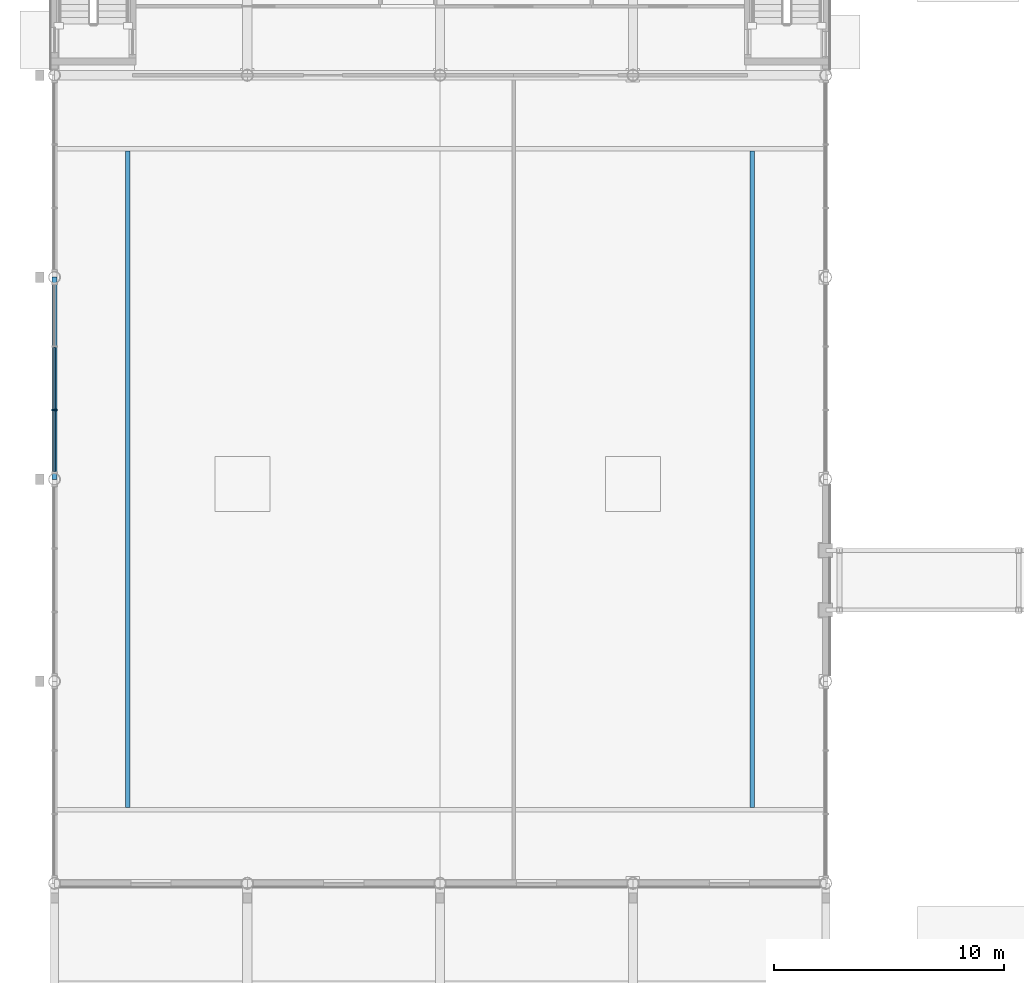
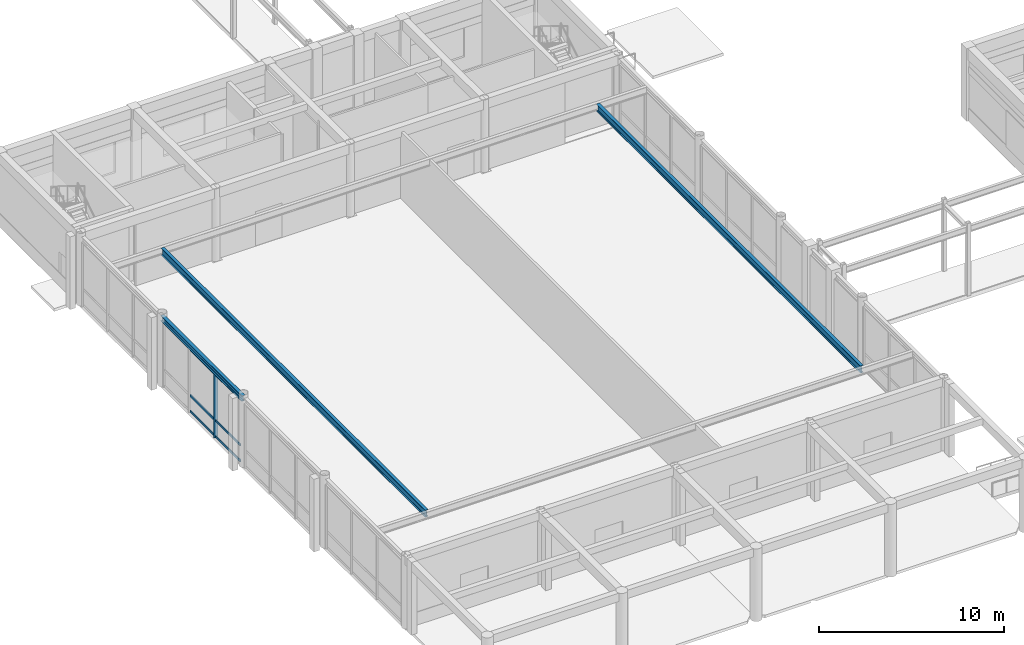
# One storey, part 12 of 58: 7 members, 3 beams, 1 element without a shape of its own.
"""IFC4 building model written with IfcOpenShell, lengths in metres."""

from ifc_helpers import new_model, si_unit, direction, frame, origin, origin_2d, place, context, subcontext, project, spatial, rectangle, i_section, extrude, material, material_profile, profile_set, type_object, element, aggregate, save


model = new_model("IFC4")

# Units and contexts
model_context = context("Model", 3, precision=1e-05, world=origin(), true_north=direction((0.0, 1.0)))
body_context = subcontext(model_context, "Body", "Model", "MODEL_VIEW")
ifc_project = project(units=[si_unit("LENGTHUNIT", "METRE"), si_unit("AREAUNIT", "SQUARE_METRE"), si_unit("VOLUMEUNIT", "CUBIC_METRE"), si_unit("PLANEANGLEUNIT", "RADIAN"), si_unit("MASSUNIT", "GRAM", prefix="KILO")], contexts=[model_context])

# Site, building, storey
site_placement = place(None, origin())
site = spatial("IfcSite", under=ifc_project, at=site_placement, CompositionType="ELEMENT")
building_placement = place(site_placement, origin())
building = spatial("IfcBuilding", under=site, at=building_placement, Name="Kemercrest Conservatory and Botanical Centre", CompositionType="ELEMENT")
storey_placement = place(building_placement, origin())
storey = spatial("IfcBuildingStorey", under=building, at=storey_placement, Name="L00", CompositionType="ELEMENT", Elevation=0.0)

# Beams
ifc_material_1 = material(Name="Steel CSA G40.21 350W", Category="steel")
ifc_material_profile_1 = material_profile(ifc_material_1, i_section(OverallWidth=0.194091796875, OverallDepth=0.468994140625, WebThickness=0.0126953125, FlangeThickness=0.0205078125, FilletRadius=0.01806640625, at=origin_2d()), Name="W460X106")
ifc_profile_set_1 = profile_set([ifc_material_profile_1], Name="Steel CSA G40.21 350W")
beam_type_1 = type_object("IfcBeamType", Name="BM-W460", PredefinedType="BEAM", material=ifc_profile_set_1)
for number, where, z_axis, x_axis, name in (
    (1, (38.39990234375, 20.110107421875, 4.345458984375), (0.0, 1.0, 0.0), (-1.0, 0.0, 0.0), "Conservatory canopy inner edge girder"),
    (2, (11.199951171875, 48.68994140625, 4.345458984375), (0.0, -1.0, 0.0), (1.0, 0.0, 0.0), "Conservatory canopy inner edge girder"),
):
    element("IfcBeam", number, at=place(storey_placement, frame(where, z_axis=z_axis, x_axis=x_axis)), inside=storey, type_object=beam_type_1, Name=name, PredefinedType="BEAM", context=body_context, shape_type="SweptSolid", body=[
        extrude(i_section(OverallWidth=0.194091796875, OverallDepth=0.468994140625, WebThickness=0.0126953125, FlangeThickness=0.0205078125, FilletRadius=0.01806640625, at=origin_2d()), origin(), (0.0, 0.0, 1.0), 28.579833984375),
    ])

# Curtain wall, members
ifc_material_2 = material(Name="Thermally broken aluminium and triple low-e glazing", Category="aluminium")
curtain_wall_type = type_object("IfcCurtainWallType", Name="CW-06", PredefinedType="USERDEFINED", material=ifc_material_2)
curtain_wall_placement = place(storey_placement, origin())
curtain_wall = element("IfcCurtainWall", 3, at=curtain_wall_placement, inside=storey, type_object=curtain_wall_type, Name="Unitised curtain wall CW-06 (CW:L00:V1-005)", ObjectType="UNITISED CURTAIN WALL", PredefinedType="USERDEFINED")
ifc_material_3 = material(Name="Thermally broken anodized aluminium 6063-T6", Category="aluminium")
ifc_material_profile_2 = material_profile(ifc_material_3, rectangle(XDim=0.239990234375, YDim=0.074951171875, at=origin_2d()), Name="AL MULLION 75x240")
ifc_profile_set_2 = profile_set([ifc_material_profile_2], Name="Thermally broken anodized aluminium 6063-T6")
member_type_1 = type_object("IfcMemberType", Name="CW-M225", PredefinedType="MULLION", material=ifc_profile_set_2)
member_1_placement = place(storey_placement, frame((8.0, 37.416259765625, 0.0), z_axis=(0.0, 0.0, 1.0), x_axis=(1.0, 0.0, 0.0)))
member_1 = element("IfcMember", 4, at=member_1_placement, type_object=member_type_1, Name="CW-06 mullion 3", PredefinedType="MULLION", context=body_context, shape_type="SweptSolid", body=[
    extrude(rectangle(XDim=0.239990234375, YDim=0.074951171875, at=origin_2d()), origin(), (0.0, 0.0, 1.0), 4.23095703125),
])
ifc_material_profile_3 = material_profile(ifc_material_3, rectangle(XDim=0.06494140625, YDim=0.14990234375, at=origin_2d()), Name="AL TRANSOM 65x150")
ifc_profile_set_3 = profile_set([ifc_material_profile_3], Name="Thermally broken anodized aluminium 6063-T6")
member_type_2 = type_object("IfcMemberType", Name="CW-T200", PredefinedType="USERDEFINED", material=ifc_profile_set_3)
member_2_placement = place(storey_placement, frame((8.0, 40.146240234375, 0.074951171875), z_axis=(0.0, -1.0, 0.0), x_axis=(1.0, 0.0, 0.0)))
member_2 = element("IfcMember", 5, at=member_2_placement, type_object=member_type_2, Name="CW-06 transom 2.1", ObjectType="TRANSOM", PredefinedType="USERDEFINED", context=body_context, shape_type="SweptSolid", body=[
    extrude(rectangle(XDim=0.06494140625, YDim=0.14990234375, at=origin_2d()), origin(), (0.0, 0.0, 1.0), 2.6923828125),
])
member_3_placement = place(storey_placement, frame((8.0, 40.146240234375, 1.1201171875), z_axis=(0.0, -1.0, 0.0), x_axis=(1.0, 0.0, 0.0)))
member_3 = element("IfcMember", 6, at=member_3_placement, type_object=member_type_2, Name="CW-06 transom 2.2", ObjectType="TRANSOM", PredefinedType="USERDEFINED", context=body_context, shape_type="SweptSolid", body=[
    extrude(rectangle(XDim=0.06494140625, YDim=0.14990234375, at=origin_2d()), origin(), (0.0, 0.0, 1.0), 2.6923828125),
])
member_4_placement = place(storey_placement, frame((8.0, 40.146240234375, 4.156005859375), z_axis=(0.0, -1.0, 0.0), x_axis=(1.0, 0.0, 0.0)))
member_4 = element("IfcMember", 7, at=member_4_placement, type_object=member_type_2, Name="CW-06 transom 2.3", ObjectType="TRANSOM", PredefinedType="USERDEFINED", context=body_context, shape_type="SweptSolid", body=[
    extrude(rectangle(XDim=0.06494140625, YDim=0.14990234375, at=origin_2d()), origin(), (0.0, 0.0, 1.0), 2.6923828125),
])
member_5_placement = place(storey_placement, frame((8.0, 37.37890625, 0.074951171875), z_axis=(0.0, -1.0, 0.0), x_axis=(1.0, 0.0, 0.0)))
member_5 = element("IfcMember", 8, at=member_5_placement, type_object=member_type_2, Name="CW-06 transom 3.1", ObjectType="TRANSOM", PredefinedType="USERDEFINED", context=body_context, shape_type="SweptSolid", body=[
    extrude(rectangle(XDim=0.06494140625, YDim=0.14990234375, at=origin_2d()), origin(), (0.0, 0.0, 1.0), 2.65478515625),
])
member_6_placement = place(storey_placement, frame((8.0, 37.37890625, 1.1201171875), z_axis=(0.0, -1.0, 0.0), x_axis=(1.0, 0.0, 0.0)))
member_6 = element("IfcMember", 9, at=member_6_placement, type_object=member_type_2, Name="CW-06 transom 3.2", ObjectType="TRANSOM", PredefinedType="USERDEFINED", context=body_context, shape_type="SweptSolid", body=[
    extrude(rectangle(XDim=0.06494140625, YDim=0.14990234375, at=origin_2d()), origin(), (0.0, 0.0, 1.0), 2.65478515625),
])
member_7_placement = place(storey_placement, frame((8.0, 37.37890625, 4.156005859375), z_axis=(0.0, -1.0, 0.0), x_axis=(1.0, 0.0, 0.0)))
member_7 = element("IfcMember", 10, at=member_7_placement, type_object=member_type_2, Name="CW-06 transom 3.3", ObjectType="TRANSOM", PredefinedType="USERDEFINED", context=body_context, shape_type="SweptSolid", body=[
    extrude(rectangle(XDim=0.06494140625, YDim=0.14990234375, at=origin_2d()), origin(), (0.0, 0.0, 1.0), 2.65478515625),
])
aggregate(curtain_wall, [member_1, member_2, member_3, member_4, member_5, member_6, member_7])

# Beam
ifc_material_profile_4 = material_profile(ifc_material_1, i_section(OverallWidth=0.205078125, OverallDepth=0.35400390625, WebThickness=0.009521484375, FlangeThickness=0.016845703125, FilletRadius=0.014892578125, at=origin_2d()), Name="W360X79")
ifc_profile_set_4 = profile_set([ifc_material_profile_4], Name="Steel CSA G40.21 350W")
beam_type_2 = type_object("IfcBeamType", Name="JS-W360", PredefinedType="JOIST", material=ifc_profile_set_4)
beam_placement = place(storey_placement, frame((8.0, 34.39990234375, 4.403076171875), z_axis=(0.0, 1.0, 0.0), x_axis=(-1.0, 0.0, 0.0)))
element("IfcBeam", 11, at=beam_placement, inside=storey, type_object=beam_type_2, Name="Conservatory canopy perimeter beam", PredefinedType="JOIST", context=body_context, shape_type="SweptSolid", body=[
    extrude(i_section(OverallWidth=0.205078125, OverallDepth=0.35400390625, WebThickness=0.009521484375, FlangeThickness=0.016845703125, FilletRadius=0.014892578125, at=origin_2d()), origin(), (0.0, 0.0, 1.0), 8.800048828125),
])

save(model, "model.ifc")
